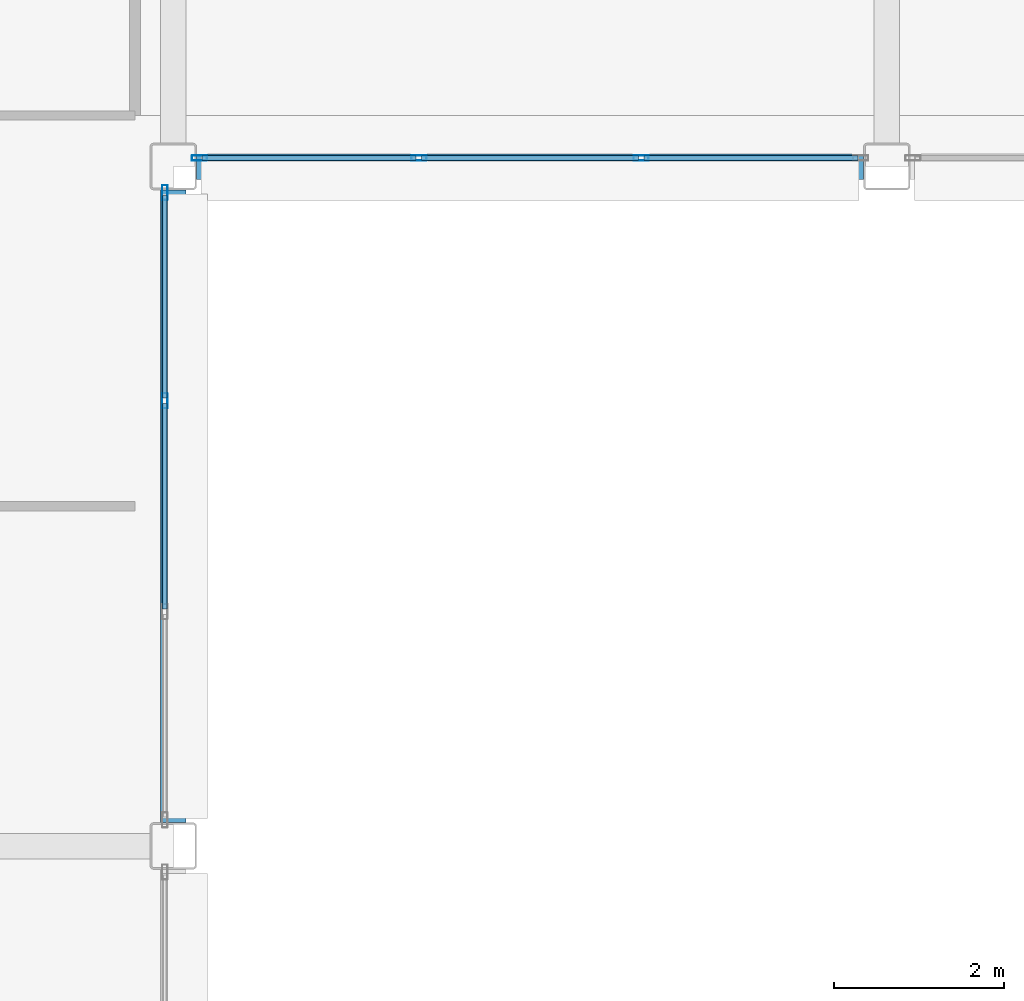
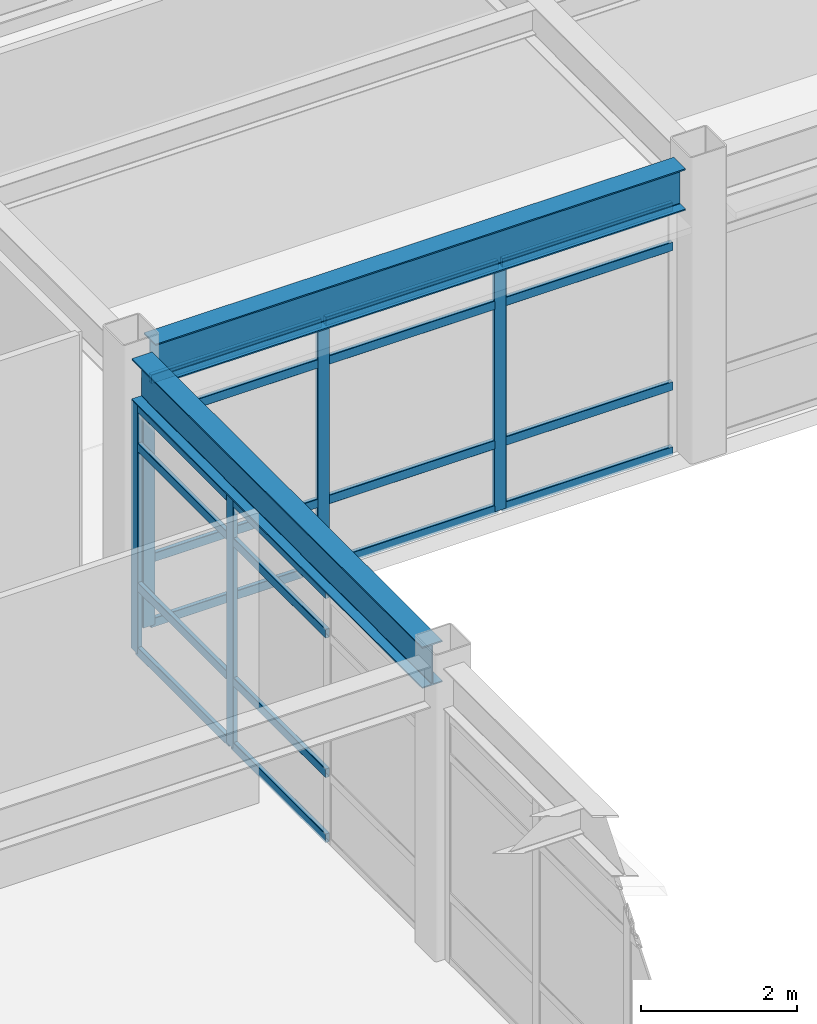
# One storey, part 38 of 154: 25 members, 2 beams, 2 elements without a shape of their own.
"""IFC4 building model written with IfcOpenShell, lengths in metres."""

from ifc_helpers import new_model, si_unit, direction, frame, origin, origin_2d, place, context, subcontext, project, spatial, hollow_rectangle, i_section, extrude, material, layer, layer_set, material_profile, profile_set, type_object, element, aggregate, save


model = new_model("IFC4")

# Units and contexts
model_context = context("Model", 3, precision=1e-05, world=origin(), true_north=direction((0.0, 1.0)))
body_context = subcontext(model_context, "Body", "Model", "MODEL_VIEW")
ifc_project = project(units=[si_unit("LENGTHUNIT", "METRE"), si_unit("AREAUNIT", "SQUARE_METRE"), si_unit("VOLUMEUNIT", "CUBIC_METRE"), si_unit("PLANEANGLEUNIT", "RADIAN"), si_unit("MASSUNIT", "GRAM", prefix="KILO")], contexts=[model_context])

# Site, building, storey
site_placement = place(None, origin())
site = spatial("IfcSite", under=ifc_project, at=site_placement, CompositionType="ELEMENT")
building_placement = place(site_placement, origin())
building = spatial("IfcBuilding", under=site, at=building_placement, Name="Kazehara Bluff Congress Hotel", CompositionType="ELEMENT")
storey_placement = place(building_placement, frame((0.0, 0.0, 10.199951171875)))
storey = spatial("IfcBuildingStorey", under=building, at=storey_placement, Name="L02", CompositionType="ELEMENT", Elevation=10.199951171875)

# Curtain wall, members
ifc_material_1 = material(Name="Anodised aluminium", Category="aluminium")
ifc_layer_1 = layer(ifc_material_1, 0.159912109375)
ifc_layer_set_1 = layer_set([ifc_layer_1], Name="Anodised aluminium")
curtain_wall_type_1 = type_object("IfcCurtainWallType", Name="TP-CW-140", PredefinedType="NOTDEFINED", material=ifc_layer_set_1)
curtain_wall_1_placement = place(storey_placement, origin())
curtain_wall_1 = element("IfcCurtainWall", 1, at=curtain_wall_1_placement, inside=storey, type_object=curtain_wall_type_1, Name="L02 curtain wall CW-140 CW-ENC-V4-L02-7595-1200", PredefinedType="NOTDEFINED")
ifc_material_2 = material(Name="Anodised aluminium", Category="aluminium")
ifc_material_profile_1 = material_profile(ifc_material_2, hollow_rectangle(XDim=0.06494140625, YDim=0.179931640625, WallThickness=0.00390625, InnerFilletRadius=0.00390625, OuterFilletRadius=0.008056640625, at=origin_2d()))
ifc_profile_set_1 = profile_set([ifc_material_profile_1], Name="Anodised aluminium")
member_type_1 = type_object("IfcMemberType", Name="TP-CWM-02", PredefinedType="MULLION", material=ifc_profile_set_1)
member_1_placement = place(storey_placement, frame((75.949951171875, 15.6923828125, 0.0), z_axis=(0.0, 0.0, 1.0), x_axis=(1.0, 0.0, 0.0)))
member_1 = element("IfcMember", 2, at=member_1_placement, type_object=member_type_1, Name="CW-140 mullion 1", PredefinedType="MULLION", context=body_context, shape_type="SweptSolid", body=[
    extrude(hollow_rectangle(XDim=0.06494140625, YDim=0.179931640625, WallThickness=0.00390625, InnerFilletRadius=0.00390625, OuterFilletRadius=0.008056640625, at=origin_2d()), origin(), (0.0, 0.0, 1.0), 3.885009765625),
])
member_2_placement = place(storey_placement, frame((75.949951171875, 13.24169921875, 0.0), z_axis=(0.0, 0.0, 1.0), x_axis=(1.0, 0.0, 0.0)))
member_2 = element("IfcMember", 3, at=member_2_placement, type_object=member_type_1, Name="CW-140 mullion 2", PredefinedType="MULLION", context=body_context, shape_type="SweptSolid", body=[
    extrude(hollow_rectangle(XDim=0.06494140625, YDim=0.179931640625, WallThickness=0.00390625, InnerFilletRadius=0.00390625, OuterFilletRadius=0.008056640625, at=origin_2d()), origin(), (0.0, 0.0, 1.0), 3.885009765625),
])

ifc_material_3 = material(Name="Anodised aluminium", Category="aluminium")
ifc_layer_2 = layer(ifc_material_3, 0.159912109375)
ifc_layer_set_2 = layer_set([ifc_layer_2], Name="Anodised aluminium")
curtain_wall_type_2 = type_object("IfcCurtainWallType", Name="TP-CW-117", PredefinedType="NOTDEFINED", material=ifc_layer_set_2)
curtain_wall_2_placement = place(storey_placement, origin())
curtain_wall_2 = element("IfcCurtainWall", 4, at=curtain_wall_2_placement, inside=storey, type_object=curtain_wall_type_2, Name="L02 curtain wall CW-117 CW-ENC-V4-L02-8025-1610", PredefinedType="NOTDEFINED")
member_3_placement = place(storey_placement, frame((81.558349609375, 16.10009765625, 0.0), z_axis=(0.0, 0.0, 1.0), x_axis=(0.0, -1.0, 0.0)))
member_3 = element("IfcMember", 5, at=member_3_placement, type_object=member_type_1, Name="CW-117 mullion 2", PredefinedType="MULLION", context=body_context, shape_type="SweptSolid", body=[
    extrude(hollow_rectangle(XDim=0.06494140625, YDim=0.179931640625, WallThickness=0.00390625, InnerFilletRadius=0.00390625, OuterFilletRadius=0.008056640625, at=origin_2d()), origin(), (0.0, 0.0, 1.0), 3.885009765625),
])
member_4_placement = place(storey_placement, frame((78.941650390625, 16.10009765625, 0.0), z_axis=(0.0, 0.0, 1.0), x_axis=(0.0, -1.0, 0.0)))
member_4 = element("IfcMember", 6, at=member_4_placement, type_object=member_type_1, Name="CW-117 mullion 3", PredefinedType="MULLION", context=body_context, shape_type="SweptSolid", body=[
    extrude(hollow_rectangle(XDim=0.06494140625, YDim=0.179931640625, WallThickness=0.00390625, InnerFilletRadius=0.00390625, OuterFilletRadius=0.008056640625, at=origin_2d()), origin(), (0.0, 0.0, 1.0), 3.885009765625),
])
member_5_placement = place(storey_placement, frame((76.357421875, 16.10009765625, 0.0), z_axis=(0.0, 0.0, 1.0), x_axis=(0.0, -1.0, 0.0)))
member_5 = element("IfcMember", 7, at=member_5_placement, type_object=member_type_1, Name="CW-117 mullion 4", PredefinedType="MULLION", context=body_context, shape_type="SweptSolid", body=[
    extrude(hollow_rectangle(XDim=0.06494140625, YDim=0.179931640625, WallThickness=0.00390625, InnerFilletRadius=0.00390625, OuterFilletRadius=0.008056640625, at=origin_2d()), origin(), (0.0, 0.0, 1.0), 3.885009765625),
])

# Member
ifc_material_4 = material(Name="Anodised aluminium", Category="aluminium")
ifc_material_profile_2 = material_profile(ifc_material_4, hollow_rectangle(XDim=0.06494140625, YDim=0.139892578125, WallThickness=0.00390625, InnerFilletRadius=0.00390625, OuterFilletRadius=0.008056640625, at=origin_2d()))
ifc_profile_set_2 = profile_set([ifc_material_profile_2], Name="Anodised aluminium")
member_type_2 = type_object("IfcMemberType", Name="TP-CWT-02", PredefinedType="USERDEFINED", material=ifc_profile_set_2)
member_6_placement = place(storey_placement, frame((75.949951171875, 15.659912109375, 0.032470703125), z_axis=(0.0, -1.0, 0.0), x_axis=(1.0, 0.0, 0.0)))
member_6 = element("IfcMember", 8, at=member_6_placement, type_object=member_type_2, Name="CW-140 transom 1.1", ObjectType="TRANSOM", PredefinedType="USERDEFINED", context=body_context, shape_type="SweptSolid", body=[
    extrude(hollow_rectangle(XDim=0.06494140625, YDim=0.139892578125, WallThickness=0.00390625, InnerFilletRadius=0.00390625, OuterFilletRadius=0.008056640625, at=origin_2d()), origin(), (0.0, 0.0, 1.0), 2.3857421875),
])

member_7_placement = place(storey_placement, frame((75.949951171875, 15.659912109375, 1.050048828125), z_axis=(0.0, -1.0, 0.0), x_axis=(1.0, 0.0, 0.0)))
member_7 = element("IfcMember", 9, at=member_7_placement, type_object=member_type_2, Name="CW-140 transom 1.2", ObjectType="TRANSOM", PredefinedType="USERDEFINED", context=body_context, shape_type="SweptSolid", body=[
    extrude(hollow_rectangle(XDim=0.06494140625, YDim=0.139892578125, WallThickness=0.00390625, InnerFilletRadius=0.00390625, OuterFilletRadius=0.008056640625, at=origin_2d()), origin(), (0.0, 0.0, 1.0), 2.3857421875),
])

member_8_placement = place(storey_placement, frame((75.949951171875, 15.659912109375, 3.235107421875), z_axis=(0.0, -1.0, 0.0), x_axis=(1.0, 0.0, 0.0)))
member_8 = element("IfcMember", 10, at=member_8_placement, type_object=member_type_2, Name="CW-140 transom 1.3", ObjectType="TRANSOM", PredefinedType="USERDEFINED", context=body_context, shape_type="SweptSolid", body=[
    extrude(hollow_rectangle(XDim=0.06494140625, YDim=0.139892578125, WallThickness=0.00390625, InnerFilletRadius=0.00390625, OuterFilletRadius=0.008056640625, at=origin_2d()), origin(), (0.0, 0.0, 1.0), 2.3857421875),
])

member_9_placement = place(storey_placement, frame((75.949951171875, 15.659912109375, 3.8525390625), z_axis=(0.0, -1.0, 0.0), x_axis=(1.0, 0.0, 0.0)))
member_9 = element("IfcMember", 11, at=member_9_placement, type_object=member_type_2, Name="CW-140 transom 1.4", ObjectType="TRANSOM", PredefinedType="USERDEFINED", context=body_context, shape_type="SweptSolid", body=[
    extrude(hollow_rectangle(XDim=0.06494140625, YDim=0.139892578125, WallThickness=0.00390625, InnerFilletRadius=0.00390625, OuterFilletRadius=0.008056640625, at=origin_2d()), origin(), (0.0, 0.0, 1.0), 2.3857421875),
])

member_10_placement = place(storey_placement, frame((75.949951171875, 13.209228515625, 0.032470703125), z_axis=(0.0, -1.0, 0.0), x_axis=(1.0, 0.0, 0.0)))
member_10 = element("IfcMember", 12, at=member_10_placement, type_object=member_type_2, Name="CW-140 transom 2.1", ObjectType="TRANSOM", PredefinedType="USERDEFINED", context=body_context, shape_type="SweptSolid", body=[
    extrude(hollow_rectangle(XDim=0.06494140625, YDim=0.139892578125, WallThickness=0.00390625, InnerFilletRadius=0.00390625, OuterFilletRadius=0.008056640625, at=origin_2d()), origin(), (0.0, 0.0, 1.0), 2.41845703125),
])

member_11_placement = place(storey_placement, frame((75.949951171875, 13.209228515625, 1.050048828125), z_axis=(0.0, -1.0, 0.0), x_axis=(1.0, 0.0, 0.0)))
member_11 = element("IfcMember", 13, at=member_11_placement, type_object=member_type_2, Name="CW-140 transom 2.2", ObjectType="TRANSOM", PredefinedType="USERDEFINED", context=body_context, shape_type="SweptSolid", body=[
    extrude(hollow_rectangle(XDim=0.06494140625, YDim=0.139892578125, WallThickness=0.00390625, InnerFilletRadius=0.00390625, OuterFilletRadius=0.008056640625, at=origin_2d()), origin(), (0.0, 0.0, 1.0), 2.41845703125),
])

member_12_placement = place(storey_placement, frame((75.949951171875, 13.209228515625, 3.235107421875), z_axis=(0.0, -1.0, 0.0), x_axis=(1.0, 0.0, 0.0)))
member_12 = element("IfcMember", 14, at=member_12_placement, type_object=member_type_2, Name="CW-140 transom 2.3", ObjectType="TRANSOM", PredefinedType="USERDEFINED", context=body_context, shape_type="SweptSolid", body=[
    extrude(hollow_rectangle(XDim=0.06494140625, YDim=0.139892578125, WallThickness=0.00390625, InnerFilletRadius=0.00390625, OuterFilletRadius=0.008056640625, at=origin_2d()), origin(), (0.0, 0.0, 1.0), 2.41845703125),
])

member_13_placement = place(storey_placement, frame((75.949951171875, 13.209228515625, 3.8525390625), z_axis=(0.0, -1.0, 0.0), x_axis=(1.0, 0.0, 0.0)))
member_13 = element("IfcMember", 15, at=member_13_placement, type_object=member_type_2, Name="CW-140 transom 2.4", ObjectType="TRANSOM", PredefinedType="USERDEFINED", context=body_context, shape_type="SweptSolid", body=[
    extrude(hollow_rectangle(XDim=0.06494140625, YDim=0.139892578125, WallThickness=0.00390625, InnerFilletRadius=0.00390625, OuterFilletRadius=0.008056640625, at=origin_2d()), origin(), (0.0, 0.0, 1.0), 2.41845703125),
])

aggregate(curtain_wall_1, [member_1, member_2, member_6, member_7, member_8, member_9, member_10, member_11, member_12, member_13])

member_14_placement = place(storey_placement, frame((84.110107421875, 16.10009765625, 0.032470703125), z_axis=(-1.0, 0.0, 0.0), x_axis=(0.0, -1.0, 0.0)))
member_14 = element("IfcMember", 16, at=member_14_placement, type_object=member_type_2, Name="CW-117 transom 1.1", ObjectType="TRANSOM", PredefinedType="USERDEFINED", context=body_context, shape_type="SweptSolid", body=[
    extrude(hollow_rectangle(XDim=0.06494140625, YDim=0.139892578125, WallThickness=0.00390625, InnerFilletRadius=0.00390625, OuterFilletRadius=0.008056640625, at=origin_2d()), origin(), (0.0, 0.0, 1.0), 2.519287109375),
])

member_15_placement = place(storey_placement, frame((84.110107421875, 16.10009765625, 1.050048828125), z_axis=(-1.0, 0.0, 0.0), x_axis=(0.0, -1.0, 0.0)))
member_15 = element("IfcMember", 17, at=member_15_placement, type_object=member_type_2, Name="CW-117 transom 1.2", ObjectType="TRANSOM", PredefinedType="USERDEFINED", context=body_context, shape_type="SweptSolid", body=[
    extrude(hollow_rectangle(XDim=0.06494140625, YDim=0.139892578125, WallThickness=0.00390625, InnerFilletRadius=0.00390625, OuterFilletRadius=0.008056640625, at=origin_2d()), origin(), (0.0, 0.0, 1.0), 2.519287109375),
])

member_16_placement = place(storey_placement, frame((84.110107421875, 16.10009765625, 3.235107421875), z_axis=(-1.0, 0.0, 0.0), x_axis=(0.0, -1.0, 0.0)))
member_16 = element("IfcMember", 18, at=member_16_placement, type_object=member_type_2, Name="CW-117 transom 1.3", ObjectType="TRANSOM", PredefinedType="USERDEFINED", context=body_context, shape_type="SweptSolid", body=[
    extrude(hollow_rectangle(XDim=0.06494140625, YDim=0.139892578125, WallThickness=0.00390625, InnerFilletRadius=0.00390625, OuterFilletRadius=0.008056640625, at=origin_2d()), origin(), (0.0, 0.0, 1.0), 2.519287109375),
])

member_17_placement = place(storey_placement, frame((84.110107421875, 16.10009765625, 3.8525390625), z_axis=(-1.0, 0.0, 0.0), x_axis=(0.0, -1.0, 0.0)))
member_17 = element("IfcMember", 19, at=member_17_placement, type_object=member_type_2, Name="CW-117 transom 1.4", ObjectType="TRANSOM", PredefinedType="USERDEFINED", context=body_context, shape_type="SweptSolid", body=[
    extrude(hollow_rectangle(XDim=0.06494140625, YDim=0.139892578125, WallThickness=0.00390625, InnerFilletRadius=0.00390625, OuterFilletRadius=0.008056640625, at=origin_2d()), origin(), (0.0, 0.0, 1.0), 2.519287109375),
])

member_18_placement = place(storey_placement, frame((81.52587890625, 16.10009765625, 0.032470703125), z_axis=(-1.0, 0.0, 0.0), x_axis=(0.0, -1.0, 0.0)))
member_18 = element("IfcMember", 20, at=member_18_placement, type_object=member_type_2, Name="CW-117 transom 2.1", ObjectType="TRANSOM", PredefinedType="USERDEFINED", context=body_context, shape_type="SweptSolid", body=[
    extrude(hollow_rectangle(XDim=0.06494140625, YDim=0.139892578125, WallThickness=0.00390625, InnerFilletRadius=0.00390625, OuterFilletRadius=0.008056640625, at=origin_2d()), origin(), (0.0, 0.0, 1.0), 2.5517578125),
])

member_19_placement = place(storey_placement, frame((81.52587890625, 16.10009765625, 1.050048828125), z_axis=(-1.0, 0.0, 0.0), x_axis=(0.0, -1.0, 0.0)))
member_19 = element("IfcMember", 21, at=member_19_placement, type_object=member_type_2, Name="CW-117 transom 2.2", ObjectType="TRANSOM", PredefinedType="USERDEFINED", context=body_context, shape_type="SweptSolid", body=[
    extrude(hollow_rectangle(XDim=0.06494140625, YDim=0.139892578125, WallThickness=0.00390625, InnerFilletRadius=0.00390625, OuterFilletRadius=0.008056640625, at=origin_2d()), origin(), (0.0, 0.0, 1.0), 2.5517578125),
])

member_20_placement = place(storey_placement, frame((81.52587890625, 16.10009765625, 3.235107421875), z_axis=(-1.0, 0.0, 0.0), x_axis=(0.0, -1.0, 0.0)))
member_20 = element("IfcMember", 22, at=member_20_placement, type_object=member_type_2, Name="CW-117 transom 2.3", ObjectType="TRANSOM", PredefinedType="USERDEFINED", context=body_context, shape_type="SweptSolid", body=[
    extrude(hollow_rectangle(XDim=0.06494140625, YDim=0.139892578125, WallThickness=0.00390625, InnerFilletRadius=0.00390625, OuterFilletRadius=0.008056640625, at=origin_2d()), origin(), (0.0, 0.0, 1.0), 2.5517578125),
])

member_21_placement = place(storey_placement, frame((81.52587890625, 16.10009765625, 3.8525390625), z_axis=(-1.0, 0.0, 0.0), x_axis=(0.0, -1.0, 0.0)))
member_21 = element("IfcMember", 23, at=member_21_placement, type_object=member_type_2, Name="CW-117 transom 2.4", ObjectType="TRANSOM", PredefinedType="USERDEFINED", context=body_context, shape_type="SweptSolid", body=[
    extrude(hollow_rectangle(XDim=0.06494140625, YDim=0.139892578125, WallThickness=0.00390625, InnerFilletRadius=0.00390625, OuterFilletRadius=0.008056640625, at=origin_2d()), origin(), (0.0, 0.0, 1.0), 2.5517578125),
])

member_22_placement = place(storey_placement, frame((78.9091796875, 16.10009765625, 0.032470703125), z_axis=(-1.0, 0.0, 0.0), x_axis=(0.0, -1.0, 0.0)))
member_22 = element("IfcMember", 24, at=member_22_placement, type_object=member_type_2, Name="CW-117 transom 3.1", ObjectType="TRANSOM", PredefinedType="USERDEFINED", context=body_context, shape_type="SweptSolid", body=[
    extrude(hollow_rectangle(XDim=0.06494140625, YDim=0.139892578125, WallThickness=0.00390625, InnerFilletRadius=0.00390625, OuterFilletRadius=0.008056640625, at=origin_2d()), origin(), (0.0, 0.0, 1.0), 2.519287109375),
])

member_23_placement = place(storey_placement, frame((78.9091796875, 16.10009765625, 1.050048828125), z_axis=(-1.0, 0.0, 0.0), x_axis=(0.0, -1.0, 0.0)))
member_23 = element("IfcMember", 25, at=member_23_placement, type_object=member_type_2, Name="CW-117 transom 3.2", ObjectType="TRANSOM", PredefinedType="USERDEFINED", context=body_context, shape_type="SweptSolid", body=[
    extrude(hollow_rectangle(XDim=0.06494140625, YDim=0.139892578125, WallThickness=0.00390625, InnerFilletRadius=0.00390625, OuterFilletRadius=0.008056640625, at=origin_2d()), origin(), (0.0, 0.0, 1.0), 2.519287109375),
])

member_24_placement = place(storey_placement, frame((78.9091796875, 16.10009765625, 3.235107421875), z_axis=(-1.0, 0.0, 0.0), x_axis=(0.0, -1.0, 0.0)))
member_24 = element("IfcMember", 26, at=member_24_placement, type_object=member_type_2, Name="CW-117 transom 3.3", ObjectType="TRANSOM", PredefinedType="USERDEFINED", context=body_context, shape_type="SweptSolid", body=[
    extrude(hollow_rectangle(XDim=0.06494140625, YDim=0.139892578125, WallThickness=0.00390625, InnerFilletRadius=0.00390625, OuterFilletRadius=0.008056640625, at=origin_2d()), origin(), (0.0, 0.0, 1.0), 2.519287109375),
])

member_25_placement = place(storey_placement, frame((78.9091796875, 16.10009765625, 3.8525390625), z_axis=(-1.0, 0.0, 0.0), x_axis=(0.0, -1.0, 0.0)))
member_25 = element("IfcMember", 27, at=member_25_placement, type_object=member_type_2, Name="CW-117 transom 3.4", ObjectType="TRANSOM", PredefinedType="USERDEFINED", context=body_context, shape_type="SweptSolid", body=[
    extrude(hollow_rectangle(XDim=0.06494140625, YDim=0.139892578125, WallThickness=0.00390625, InnerFilletRadius=0.00390625, OuterFilletRadius=0.008056640625, at=origin_2d()), origin(), (0.0, 0.0, 1.0), 2.519287109375),
])

aggregate(curtain_wall_2, [member_3, member_4, member_5, member_14, member_15, member_16, member_17, member_18, member_19, member_20, member_21, member_22, member_23, member_24, member_25])

# Beams
ifc_material_5 = material(Name="Steel SN490B", Category="steel")
ifc_material_profile_3 = material_profile(ifc_material_5, i_section(OverallWidth=0.300048828125, OverallDepth=0.64990234375, WebThickness=0.011962890625, FlangeThickness=0.02001953125, FilletRadius=0.012939453125, at=origin_2d()))
ifc_profile_set_3 = profile_set([ifc_material_profile_3], Name="Steel SN490B")
beam_type = type_object("IfcBeamType", Name="TP-G-03", PredefinedType="BEAM", material=ifc_profile_set_3)
beam_1_placement = place(storey_placement, frame((76.050048828125, 8.27490234375, 4.235107421875), z_axis=(0.0, 1.0, 0.0), x_axis=(-1.0, 0.0, 0.0)))
element("IfcBeam", 28, at=beam_1_placement, inside=storey, type_object=beam_type, Name="L02 girder G-03 72", PredefinedType="BEAM", context=body_context, shape_type="SweptSolid", body=[
    extrude(i_section(OverallWidth=0.300048828125, OverallDepth=0.64990234375, WebThickness=0.011962890625, FlangeThickness=0.02001953125, FilletRadius=0.012939453125, at=origin_2d()), origin(), (0.0, 0.0, 1.0), 7.4501953125),
])
beam_2_placement = place(storey_placement, frame((76.324951171875, 16.0, 4.235107421875), z_axis=(1.0, 0.0, 0.0), x_axis=(0.0, 1.0, 0.0)))
element("IfcBeam", 29, at=beam_2_placement, inside=storey, type_object=beam_type, Name="L02 girder G-03 98", PredefinedType="BEAM", context=body_context, shape_type="SweptSolid", body=[
    extrude(i_section(OverallWidth=0.300048828125, OverallDepth=0.64990234375, WebThickness=0.011962890625, FlangeThickness=0.02001953125, FilletRadius=0.012939453125, at=origin_2d()), origin(), (0.0, 0.0, 1.0), 7.85009765625),
])

save(model, "model.ifc")
